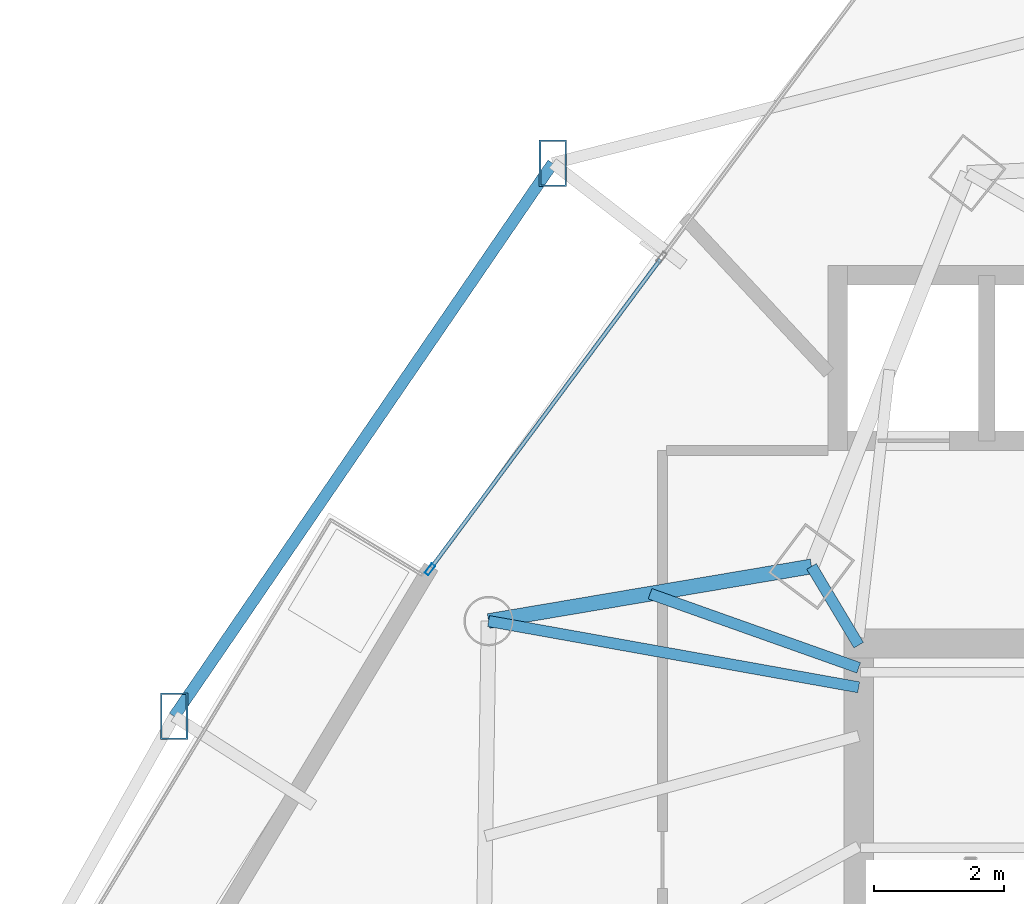
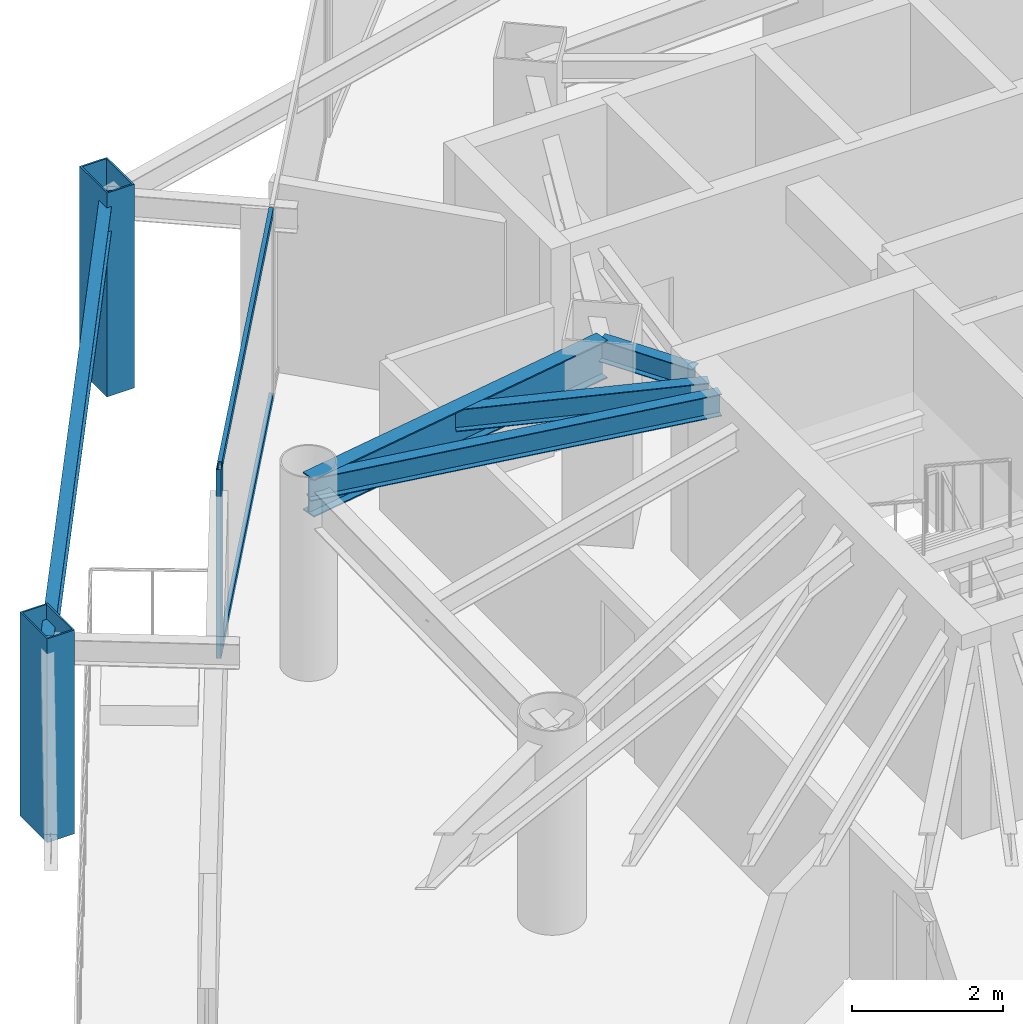
# One storey, part 18 of 33: 5 beams, 5 members, 1 element without a shape of its own.
"""IFC4 building model written with IfcOpenShell, lengths in metres."""

import ifcopenshell
import ifcopenshell.guid

model = None  # the IFC model being written
_history = None  # IfcOwnerHistory: only IFC2X3 demands one
_inside = {}  # id of a spatial element -> (the spatial element, [elements in it])
_under = {}  # id of a project, library or spatial element -> (it, [spatial elements below it])
_declared = {}  # id of a project -> (the project, [libraries it declares])
_typed = {}  # id of a type object -> (the type object, [elements of that type])
_made_of = {}  # id of a material, layer set ... -> (it, [elements and type objects made of it])


def new_model(schema):
    """Start an empty IFC model of exactly this schema.

    Asked for "IFC4X3", IfcOpenShell would pick the latest addendum, in which some entities
    have other attributes; the version numbers below select the first issue.
    IFC2X3 requires an IfcOwnerHistory on every rooted entity: one is made here for all.
    """
    global model, _history
    if schema == "IFC4X3":
        model = ifcopenshell.file(schema_version=(4, 3, 0, 0))
    else:
        model = ifcopenshell.file(schema=schema)
    _inside.clear()
    _under.clear()
    _declared.clear()
    _typed.clear()
    _made_of.clear()
    _history = None
    if model.schema == "IFC2X3":
        org = make("IfcOrganization", Name="unknown")
        user = make(
            "IfcPersonAndOrganization",
            ThePerson=make("IfcPerson", FamilyName="unknown"),
            TheOrganization=org,
        )
        app = make(
            "IfcApplication",
            ApplicationDeveloper=org,
            Version="unknown",
            ApplicationFullName="unknown",
            ApplicationIdentifier="unknown",
        )
        _history = make(
            "IfcOwnerHistory",
            OwningUser=user,
            OwningApplication=app,
            ChangeAction="ADDED",
            CreationDate=0,
        )
    return model


def make(cls, **values):
    """One entity of the class cls with the attributes given. An attribute that is None is left unset."""
    return model.create_entity(
        cls, **{name: value for name, value in values.items() if value is not None}
    )


def rooted(cls, **values):
    """An entity with a GlobalId (a new one), such as an element, a storey or a relation."""
    return make(cls, GlobalId=ifcopenshell.guid.new(), OwnerHistory=_history, **values)


def si_unit(unit_type, name, prefix=None):
    """IfcSIUnit, for example si_unit("LENGTHUNIT", "METRE", prefix="MILLI")."""
    return make("IfcSIUnit", UnitType=unit_type, Prefix=prefix, Name=name)


def assignment(units):
    """IfcUnitAssignment: the units of a project."""
    return None if units is None else make("IfcUnitAssignment", Units=units)


def point(xyz):
    """IfcCartesianPoint."""
    return None if xyz is None else make("IfcCartesianPoint", Coordinates=xyz)


def direction(xyz):
    """IfcDirection."""
    return None if xyz is None else make("IfcDirection", DirectionRatios=xyz)


def frame(location, z_axis=None, x_axis=None):
    """IfcAxis2Placement3D, a coordinate frame: its origin and axes. An axis left out is left unset."""
    return make(
        "IfcAxis2Placement3D",
        Location=point(location),
        Axis=direction(z_axis),
        RefDirection=direction(x_axis),
    )


def frame_2d(location, x_axis=None):
    """IfcAxis2Placement2D, a coordinate frame in the plane: its origin and x axis."""
    return make(
        "IfcAxis2Placement2D", Location=point(location), RefDirection=direction(x_axis)
    )


def origin():
    """The frame at (0, 0, 0) with its axes left unset."""
    return frame((0.0, 0.0, 0.0))


def origin_2d():
    """The frame at (0, 0) in the plane with its x axis left unset."""
    return frame_2d((0.0, 0.0))


def place(relative_to, where):
    """IfcLocalPlacement: puts the frame where relative to a parent placement (None: the world)."""
    return make(
        "IfcLocalPlacement", PlacementRelTo=relative_to, RelativePlacement=where
    )


def context(
    kind, dimensions, precision=None, world=None, true_north=None, identifier=None
):
    """IfcGeometricRepresentationContext, for example the 3D "Model" context."""
    return make(
        "IfcGeometricRepresentationContext",
        ContextIdentifier=identifier,
        ContextType=kind,
        CoordinateSpaceDimension=dimensions,
        Precision=precision,
        WorldCoordinateSystem=world,
        TrueNorth=true_north,
    )


def subcontext(parent, identifier, kind, view, scale=None):
    """IfcGeometricRepresentationSubContext, for example "Body" below "Model"."""
    return make(
        "IfcGeometricRepresentationSubContext",
        ContextIdentifier=identifier,
        ContextType=kind,
        ParentContext=parent,
        TargetScale=scale,
        TargetView=view,
    )


def project(units=None, contexts=None):
    """IfcProject with its units and contexts."""
    return rooted(
        "IfcProject",
        Name="project",
        RepresentationContexts=contexts,
        UnitsInContext=assignment(units),
    )


def spatial(cls, under=None, at=None, **own):
    """A site, building, storey or space (cls), placed at a placement, below another one or the project."""
    s = rooted(cls, ObjectPlacement=at, **own)
    if under is not None:
        _under.setdefault(under.id(), (under, []))[1].append(s)
    return s


def profile(cls, at=None, kind="AREA", **sizes):
    """A parametric profile (cls). Its sizes go by their IFC names, for example OverallWidth=200.0."""
    return make(cls, ProfileType=kind, Position=at, **sizes)


def hollow_rectangle(**sizes):
    """IfcRectangleHollowProfileDef."""
    return profile("IfcRectangleHollowProfileDef", **sizes)


def i_section(**sizes):
    """IfcIShapeProfileDef."""
    return profile("IfcIShapeProfileDef", **sizes)


def extrude(swept, where, along, depth):
    """IfcExtrudedAreaSolid: the profile swept, set in the frame where, extruded along a direction by depth."""
    return make(
        "IfcExtrudedAreaSolid",
        SweptArea=swept,
        Position=where,
        ExtrudedDirection=direction(along),
        Depth=depth,
    )


def shape(context_of_items, identifier, shape_type, items):
    """IfcShapeRepresentation: the items that make up one representation, for example the "Body"."""
    return make(
        "IfcShapeRepresentation",
        ContextOfItems=context_of_items,
        RepresentationIdentifier=identifier,
        RepresentationType=shape_type,
        Items=items,
    )


def material(Name=None, Category=None):
    """IfcMaterial."""
    return make("IfcMaterial", Name=Name, Category=Category)


def layer(
    of_material, thickness, ventilated=None, Name=None, Category=None, Priority=None
):
    """IfcMaterialLayer: one layer of a wall or slab, of a material (None: an air gap)."""
    return make(
        "IfcMaterialLayer",
        Material=of_material,
        LayerThickness=thickness,
        IsVentilated=ventilated,
        Name=Name,
        Category=Category,
        Priority=Priority,
    )


def layer_set(layers, Name=None):
    """IfcMaterialLayerSet."""
    return make("IfcMaterialLayerSet", MaterialLayers=layers, LayerSetName=Name)


def material_profile(
    of_material, cross_section, Name=None, Category=None, Priority=None
):
    """IfcMaterialProfile: a cross section and its material."""
    return make(
        "IfcMaterialProfile",
        Name=Name,
        Material=of_material,
        Profile=cross_section,
        Priority=Priority,
        Category=Category,
    )


def profile_set(profiles, Name=None, composite=None):
    """IfcMaterialProfileSet."""
    return make(
        "IfcMaterialProfileSet",
        Name=Name,
        MaterialProfiles=profiles,
        CompositeProfile=composite,
    )


def made_of(thing, what):
    """Note that an element or type object is made of a material, layer set ...; save() writes the relation."""
    if what is not None:
        _made_of.setdefault(what.id(), (what, []))[1].append(thing)
    return thing


def type_object(cls, material=None, **own):
    """A type object (cls), such as IfcWallType, which elements share."""
    return made_of(rooted(cls, **own), material)


def element(
    cls,
    number,
    at=None,
    inside=None,
    cuts=None,
    type_object=None,
    material=None,
    context=None,
    identifier="Body",
    shape_type=None,
    held_by="IfcProductDefinitionShape",
    body=None,
    shapes=None,
    **own,
):
    """One element of the class cls, such as IfcWall. Its Tag is "e" and its number.

    at: its placement. inside: the storey or other place that contains it. cuts: it is an
    opening in that element (IfcRelVoidsElement). A single representation is given by context,
    identifier, shape_type and body (its items); several are given by shapes. held_by: the class
    of the entity that holds the representations. save() writes the other relations.
    """
    e = rooted(cls, Tag="e%d" % number, ObjectPlacement=at, **own)
    if body is not None:
        shapes = [shape(context, identifier, shape_type, body)]
    if shapes is not None:
        e.Representation = make(held_by, Representations=shapes)
    if inside is not None:
        _inside.setdefault(inside.id(), (inside, []))[1].append(e)
    if cuts is not None:
        rooted(
            "IfcRelVoidsElement", RelatingBuildingElement=cuts, RelatedOpeningElement=e
        )
    if type_object is not None:
        _typed.setdefault(type_object.id(), (type_object, []))[1].append(e)
    return made_of(e, material)


def aggregate(whole, parts):
    """IfcRelAggregates: a whole, such as a stair, and the parts it consists of."""
    return rooted("IfcRelAggregates", RelatingObject=whole, RelatedObjects=parts)


def save(model, path):
    """Write the relations noted so far, then the file.

    IfcRelAggregates (storeys below a building ...), IfcRelContainedInSpatialStructure (elements
    in a storey), IfcRelDefinesByType, IfcRelAssociatesMaterial and IfcRelDeclares: one each for
    every whole, place, type object, material and project.
    """
    for whole, parts in _under.values():
        aggregate(whole, parts)
    for where, things in _inside.values():
        rooted(
            "IfcRelContainedInSpatialStructure",
            RelatedElements=things,
            RelatingStructure=where,
        )
    for kind, things in _typed.values():
        rooted("IfcRelDefinesByType", RelatedObjects=things, RelatingType=kind)
    for what, things in _made_of.values():
        rooted("IfcRelAssociatesMaterial", RelatedObjects=things, RelatingMaterial=what)
    for by, libraries in _declared.values():
        rooted("IfcRelDeclares", RelatingContext=by, RelatedDefinitions=libraries)
    model.write(path)


model = new_model("IFC4")

# Units and contexts
model_context = context("Model", 3, precision=1e-05, world=origin(), true_north=direction((0.0, 1.0)))
body_context = subcontext(model_context, "Body", "Model", "MODEL_VIEW")
ifc_project = project(units=[si_unit("LENGTHUNIT", "METRE"), si_unit("AREAUNIT", "SQUARE_METRE"), si_unit("VOLUMEUNIT", "CUBIC_METRE"), si_unit("PLANEANGLEUNIT", "RADIAN"), si_unit("MASSUNIT", "GRAM", prefix="KILO")], contexts=[model_context])

# Site, building, storey
site_placement = place(None, origin())
site = spatial("IfcSite", under=ifc_project, at=site_placement, CompositionType="ELEMENT")
building_placement = place(site_placement, origin())
building = spatial("IfcBuilding", under=site, at=building_placement, Name="Orvanel Arch Residences", CompositionType="ELEMENT")
storey_placement = place(building_placement, frame((0.0, 0.0, 90.64990234375)))
storey = spatial("IfcBuildingStorey", under=building, at=storey_placement, Name="L25", CompositionType="ELEMENT", Elevation=90.64990234375)

# Beams
ifc_material_1 = material(Name="Structural steel AS/NZS 3679.1 Grade 300 (300 MPa)", Category="steel")
ifc_material_profile_1 = material_profile(ifc_material_1, i_section(OverallWidth=0.1708984375, OverallDepth=0.35595703125, WebThickness=0.00732421875, FlangeThickness=0.011474609375, at=origin_2d()), Name="360UB50.7")
ifc_profile_set_1 = profile_set([ifc_material_profile_1], Name="Structural steel AS/NZS 3679.1 Grade 300 (300 MPa)")
beam_type_1 = type_object("IfcBeamType", Name="BJ-360UB", PredefinedType="JOIST", material=ifc_profile_set_1)
beam_1_placement = place(storey_placement, frame((26.375, 33.89990234375, 2.882080078125), z_axis=(-0.514064138778, 0.857751748015, 0.0), x_axis=(-0.857751748015, -0.514064138778, 0.0)))
element("IfcBeam", 1, at=beam_1_placement, inside=storey, type_object=beam_type_1, Name="L25 NNW Wing Floor Joist", PredefinedType="JOIST", context=body_context, shape_type="SweptSolid", body=[
    extrude(i_section(OverallWidth=0.1708984375, OverallDepth=0.35595703125, WebThickness=0.00732421875, FlangeThickness=0.011474609375, at=origin_2d()), origin(), (0.0, 0.0, 1.0), 1.414306640625),
])
beam_2_placement = place(storey_placement, frame((26.375, 33.25, 2.882080078125), z_axis=(-0.984360855662, 0.176163860766, 0.0), x_axis=(-0.176163860766, -0.984360855662, 0.0)))
element("IfcBeam", 2, at=beam_2_placement, inside=storey, type_object=beam_type_1, Name="L25 LW Wing Floor Joist", PredefinedType="JOIST", context=body_context, shape_type="SweptSolid", body=[
    extrude(i_section(OverallWidth=0.1708984375, OverallDepth=0.35595703125, WebThickness=0.00732421875, FlangeThickness=0.011474609375, at=origin_2d()), origin(), (0.0, 0.0, 1.0), 5.795654296875),
])
beam_3_placement = place(storey_placement, frame((26.375, 33.550048828125, 2.882080078125), z_axis=(-0.942366638377, 0.334582006201, 0.0), x_axis=(-0.334582006201, -0.942366638377, 0.0)))
element("IfcBeam", 3, at=beam_3_placement, inside=storey, type_object=beam_type_1, Name="L25 JADD3 Wing Floor Joist", PredefinedType="JOIST", context=body_context, shape_type="SweptSolid", body=[
    extrude(i_section(OverallWidth=0.1708984375, OverallDepth=0.35595703125, WebThickness=0.00732421875, FlangeThickness=0.011474609375, at=origin_2d()), origin(), (0.0, 0.0, 1.0), 3.412841796875),
])

# Members
ifc_material_2 = material(Name="Structural steel AS/NZS 3678 Grade 350", Category="steel")
ifc_material_profile_2 = material_profile(ifc_material_2, hollow_rectangle(XDim=0.419921875, YDim=0.719970703125, WallThickness=0.02490234375, at=origin_2d()), Name="RHS720x420x25")
ifc_profile_set_2 = profile_set([ifc_material_profile_2], Name="Structural steel AS/NZS 3678 Grade 350")
member_type_1 = type_object("IfcMemberType", Name="CH-720RHS-EXT", PredefinedType="CHORD", material=ifc_profile_set_2)
for number, where, z_axis, x_axis, name in (
    (4, (21.658935546875, 41.327880859375, 0.0), (0.0, 0.0, 1.0), (1.0, 0.0, 0.0), "L25 Outer Perimeter Frame Post 01"),
    (5, (15.822998046875, 32.802001953125, 0.0), (0.0, 0.0, 1.0), (1.0, 0.0, 0.0), "L25 Outer Perimeter Frame Post 02"),
):
    element("IfcMember", number, at=place(storey_placement, frame(where, z_axis=z_axis, x_axis=x_axis)), inside=storey, type_object=member_type_1, Name=name, PredefinedType="CHORD", context=body_context, shape_type="SweptSolid", body=[
        extrude(hollow_rectangle(XDim=0.419921875, YDim=0.719970703125, WallThickness=0.02490234375, at=origin_2d()), origin(), (0.0, 0.0, 1.0), 3.300048828125),
    ])

# Curtain wall, member
ifc_material_3 = material(Name="Bronze-anodised aluminium AA6063-T6", Category="aluminium")
ifc_layer = layer(ifc_material_3, 0.179931640625)
ifc_layer_set = layer_set([ifc_layer], Name="Bronze-anodised aluminium AA6063-T6")
curtain_wall_type = type_object("IfcCurtainWallType", Name="CW2-LOW-SYS", PredefinedType="NOTDEFINED", material=ifc_layer_set)
curtain_wall_placement = place(storey_placement, origin())
curtain_wall = element("IfcCurtainWall", 6, at=curtain_wall_placement, inside=storey, type_object=curtain_wall_type, Name="L25 CW2-LOW-SYS Unitised Curtain Wall", PredefinedType="NOTDEFINED")
ifc_material_profile_3 = material_profile(ifc_material_3, hollow_rectangle(XDim=0.070068359375, YDim=0.179931640625, WallThickness=0.00439453125, at=origin_2d()), Name="ALU180x70x4.5")
ifc_profile_set_3 = profile_set([ifc_material_profile_3], Name="Bronze-anodised aluminium AA6063-T6")
member_type_2 = type_object("IfcMemberType", Name="MUL-180x70", PredefinedType="MULLION", material=ifc_profile_set_3)
member_1_placement = place(storey_placement, frame((19.765869140625, 35.068115234375, 0.0), z_axis=(0.0, 0.0, 1.0), x_axis=(0.802592798057, -0.596527283959, 0.0)))
member_1 = element("IfcMember", 7, at=member_1_placement, type_object=member_type_2, Name="CW-S2 mullion 3", PredefinedType="MULLION", context=body_context, shape_type="SweptSolid", body=[
    extrude(hollow_rectangle(XDim=0.070068359375, YDim=0.179931640625, WallThickness=0.00439453125, at=origin_2d()), origin(), (0.0, 0.0, 1.0), 3.06005859375),
])

# Beams
ifc_material_profile_4 = material_profile(ifc_material_1, i_section(OverallWidth=0.177978515625, OverallDepth=0.406005859375, WebThickness=0.0078125, FlangeThickness=0.0126953125, at=origin_2d()), Name="410UB59.7")
ifc_profile_set_4 = profile_set([ifc_material_profile_4], Name="Structural steel AS/NZS 3679.1 Grade 300 (300 MPa)")
beam_type_2 = type_object("IfcBeamType", Name="OB-410UB-EXT", PredefinedType="SPANDREL", material=ifc_profile_set_4)
beam_4_placement = place(storey_placement, frame((21.658935546875, 41.327880859375, 2.857177734375), z_axis=(-0.564844854464, -0.825197122138, 0.0), x_axis=(0.825197122138, -0.564844854464, 0.0)))
element("IfcBeam", 8, at=beam_4_placement, inside=storey, type_object=beam_type_2, Name="L25 Outer Perimeter Floor Ring Beam 01", PredefinedType="SPANDREL", context=body_context, shape_type="SweptSolid", body=[
    extrude(i_section(OverallWidth=0.177978515625, OverallDepth=0.406005859375, WebThickness=0.0078125, FlangeThickness=0.0126953125, at=origin_2d()), origin(), (0.0, 0.0, 1.0), 10.33203125),
])
ifc_material_profile_5 = material_profile(ifc_material_1, i_section(OverallWidth=0.22900390625, OverallDepth=0.612060546875, WebThickness=0.011962890625, FlangeThickness=0.01953125, at=origin_2d()), Name="610UB125")
ifc_profile_set_5 = profile_set([ifc_material_profile_5], Name="Structural steel AS/NZS 3679.1 Grade 300 (300 MPa)")
beam_type_3 = type_object("IfcBeamType", Name="SP-610UB", PredefinedType="SPANDREL", material=ifc_profile_set_5)
beam_5_placement = place(storey_placement, frame((25.64794921875, 35.113037109375, 2.754150390625), z_axis=(-0.985993733897, -0.166782363326, 0.0), x_axis=(0.166782363326, -0.985993733897, 0.0)))
element("IfcBeam", 9, at=beam_5_placement, inside=storey, type_object=beam_type_3, Name="L25 Perimeter Spandrel Beam 19", PredefinedType="SPANDREL", context=body_context, shape_type="SweptSolid", body=[
    extrude(i_section(OverallWidth=0.22900390625, OverallDepth=0.612060546875, WebThickness=0.011962890625, FlangeThickness=0.01953125, at=origin_2d()), origin(), (0.0, 0.0, 1.0), 5.048828125),
])

# Member
ifc_material_profile_6 = material_profile(ifc_material_3, hollow_rectangle(XDim=0.06005859375, YDim=0.135009765625, WallThickness=0.00390625, at=origin_2d()), Name="ALU135x60x4")
ifc_profile_set_6 = profile_set([ifc_material_profile_6], Name="Bronze-anodised aluminium AA6063-T6")
member_type_3 = type_object("IfcMemberType", Name="TRN-135x60", PredefinedType="USERDEFINED", material=ifc_profile_set_6)
member_2_placement = place(storey_placement, frame((23.316650390625, 39.845458984375, 0.030029296875), z_axis=(-0.596515409938, -0.802601623289, 0.0), x_axis=(0.802601623289, -0.596515409938, 0.0)))
member_2 = element("IfcMember", 10, at=member_2_placement, type_object=member_type_3, Name="CW-S2 transom 2.1", ObjectType="TRANSOM", PredefinedType="USERDEFINED", context=body_context, shape_type="SweptSolid", body=[
    extrude(hollow_rectangle(XDim=0.06005859375, YDim=0.135009765625, WallThickness=0.00390625, at=origin_2d()), origin(), (0.0, 0.0, 1.0), 5.917236328125),
])

member_3_placement = place(storey_placement, frame((23.316650390625, 39.845458984375, 3.030029296875), z_axis=(-0.596515409938, -0.802601623289, 0.0), x_axis=(0.802601623289, -0.596515409938, 0.0)))
member_3 = element("IfcMember", 11, at=member_3_placement, type_object=member_type_3, Name="CW-S2 transom 2.2", ObjectType="TRANSOM", PredefinedType="USERDEFINED", context=body_context, shape_type="SweptSolid", body=[
    extrude(hollow_rectangle(XDim=0.06005859375, YDim=0.135009765625, WallThickness=0.00390625, at=origin_2d()), origin(), (0.0, 0.0, 1.0), 5.917236328125),
])

aggregate(curtain_wall, [member_1, member_2, member_3])

save(model, "model.ifc")
